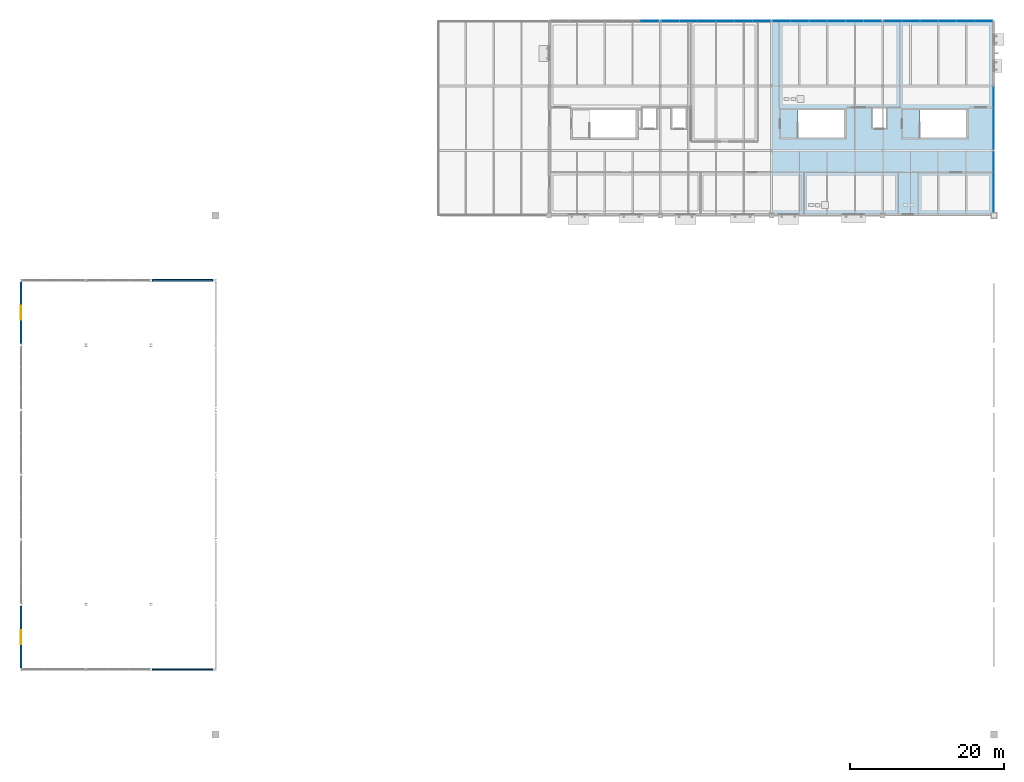
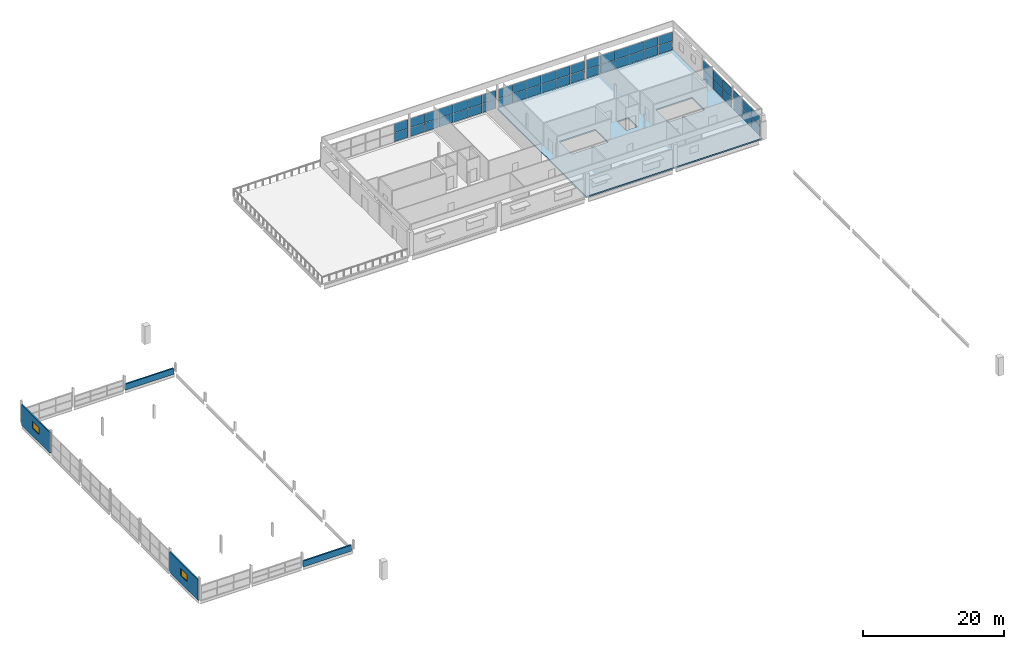
# One storey, part 38 of 43: 50 plates, 4 walls, 2 windows, 1 slab, 2 openings, 6 elements without a shape of their own.
"""IFC4 building model written with IfcOpenShell, lengths in metres."""

from ifc_helpers import new_model, si_unit, direction, frame, frame_2d, origin, origin_2d, place, context, subcontext, project, spatial, polyline, rectangle, outline, extrude, material, layer, layer_set, type_object, element, fill, aggregate, save


model = new_model("IFC4")

# Units and contexts
model_context = context("Model", 3, precision=1e-05, world=origin(), true_north=direction((0.0, 1.0)))
body_context = subcontext(model_context, "Body", "Model", "MODEL_VIEW")
ifc_project = project(units=[si_unit("LENGTHUNIT", "METRE"), si_unit("AREAUNIT", "SQUARE_METRE"), si_unit("VOLUMEUNIT", "CUBIC_METRE"), si_unit("PLANEANGLEUNIT", "RADIAN"), si_unit("MASSUNIT", "GRAM", prefix="KILO"), si_unit("THERMODYNAMICTEMPERATUREUNIT", "KELVIN")], contexts=[model_context])

# Site, building, storey
site_placement = place(None, origin())
site = spatial("IfcSite", under=ifc_project, at=site_placement, CompositionType="ELEMENT")
building_placement = place(site_placement, origin())
building = spatial("IfcBuilding", under=site, at=building_placement, Name="Nduvali Passage Aquatics Centre", CompositionType="ELEMENT")
storey_placement = place(building_placement, frame((0.0, 0.0, 17.39990234375)))
storey = spatial("IfcBuildingStorey", under=building, at=storey_placement, Name="L04", CompositionType="ELEMENT", Elevation=17.39990234375)

# Curtain wall, plates
ifc_material_1 = material(Name="Aluminium EN AW-6063 T6", Category="aluminium")
curtain_wall_type_1 = type_object("IfcCurtainWallType", Name="ENV-CW-WELL", PredefinedType="NOTDEFINED", material=ifc_material_1)
curtain_wall_1_placement = place(storey_placement, origin())
curtain_wall_1 = element("IfcCurtainWall", 1, at=curtain_wall_1_placement, inside=storey, type_object=curtain_wall_type_1, Name="L04 North Avenue Recovery Lounge CW 106", PredefinedType="NOTDEFINED")
ifc_material_2 = material(Name="Laminated solar-control low-E IGU")
ifc_layer_1 = layer(ifc_material_2, 0.028076171875, Name="Laminated solar-control low-E IGU")
ifc_layer_set_1 = layer_set([ifc_layer_1], Name="Laminated solar-control low-E IGU")
plate_type = type_object("IfcPlateType", Name="ENV-PLT-GLZ28", PredefinedType="CURTAIN_PANEL", material=ifc_layer_set_1)
plate_1_placement = place(storey_placement, frame((81.485107421875, 117.60009765625, 0.06005859375), z_axis=(0.0, 0.0, 1.0), x_axis=(1.0, 0.0, 0.0)))
plate_1 = element("IfcPlate", 2, at=plate_1_placement, type_object=plate_type, Name="North Avenue Recovery Lounge CW Glazed Panel B6-R1", PredefinedType="CURTAIN_PANEL", context=body_context, shape_type="SweptSolid", body=[
    extrude(rectangle(XDim=2.27001953125, YDim=0.028076171875, at=origin_2d()), origin(), (0.0, 0.0, 1.0), 1.516845703125),
])
plate_2_placement = place(storey_placement, frame((81.485107421875, 117.60009765625, 1.63720703125), z_axis=(0.0, 0.0, 1.0), x_axis=(1.0, 0.0, 0.0)))
plate_2 = element("IfcPlate", 3, at=plate_2_placement, type_object=plate_type, Name="North Avenue Recovery Lounge CW Glazed Panel B6-R2", PredefinedType="CURTAIN_PANEL", context=body_context, shape_type="SweptSolid", body=[
    extrude(rectangle(XDim=2.27001953125, YDim=0.028076171875, at=origin_2d()), origin(), (0.0, 0.0, 1.0), 1.516845703125),
])
aggregate(curtain_wall_1, [plate_1, plate_2])

curtain_wall_2_placement = place(storey_placement, origin())
curtain_wall_2 = element("IfcCurtainWall", 4, at=curtain_wall_2_placement, inside=storey, type_object=curtain_wall_type_1, Name="L04 North Avenue Recovery Lounge CW 111", PredefinedType="NOTDEFINED")
plate_3_placement = place(storey_placement, frame((84.114990234375, 117.60009765625, 0.06005859375), z_axis=(0.0, 0.0, 1.0), x_axis=(1.0, 0.0, 0.0)))
plate_3 = element("IfcPlate", 5, at=plate_3_placement, type_object=plate_type, Name="North Avenue Recovery Lounge CW Glazed Panel B1-R1", PredefinedType="CURTAIN_PANEL", context=body_context, shape_type="SweptSolid", body=[
    extrude(rectangle(XDim=2.27001953125, YDim=0.028076171875, at=origin_2d()), origin(), (0.0, 0.0, 1.0), 1.516845703125),
])
plate_4_placement = place(storey_placement, frame((84.114990234375, 117.60009765625, 1.63720703125), z_axis=(0.0, 0.0, 1.0), x_axis=(1.0, 0.0, 0.0)))
plate_4 = element("IfcPlate", 6, at=plate_4_placement, type_object=plate_type, Name="North Avenue Recovery Lounge CW Glazed Panel B1-R2", PredefinedType="CURTAIN_PANEL", context=body_context, shape_type="SweptSolid", body=[
    extrude(rectangle(XDim=2.27001953125, YDim=0.028076171875, at=origin_2d()), origin(), (0.0, 0.0, 1.0), 1.516845703125),
])
plate_5_placement = place(storey_placement, frame((86.4599609375, 117.60009765625, 0.06005859375), z_axis=(0.0, 0.0, 1.0), x_axis=(1.0, 0.0, 0.0)))
plate_5 = element("IfcPlate", 7, at=plate_5_placement, type_object=plate_type, Name="North Avenue Recovery Lounge CW Glazed Panel B2-R1", PredefinedType="CURTAIN_PANEL", context=body_context, shape_type="SweptSolid", body=[
    extrude(rectangle(XDim=2.300048828125, YDim=0.028076171875, at=origin_2d()), origin(), (0.0, 0.0, 1.0), 1.516845703125),
])
plate_6_placement = place(storey_placement, frame((86.4599609375, 117.60009765625, 1.63720703125), z_axis=(0.0, 0.0, 1.0), x_axis=(1.0, 0.0, 0.0)))
plate_6 = element("IfcPlate", 8, at=plate_6_placement, type_object=plate_type, Name="North Avenue Recovery Lounge CW Glazed Panel B2-R2", PredefinedType="CURTAIN_PANEL", context=body_context, shape_type="SweptSolid", body=[
    extrude(rectangle(XDim=2.300048828125, YDim=0.028076171875, at=origin_2d()), origin(), (0.0, 0.0, 1.0), 1.516845703125),
])
plate_7_placement = place(storey_placement, frame((88.820068359375, 117.60009765625, 0.06005859375), z_axis=(0.0, 0.0, 1.0), x_axis=(1.0, 0.0, 0.0)))
plate_7 = element("IfcPlate", 9, at=plate_7_placement, type_object=plate_type, Name="North Avenue Recovery Lounge CW Glazed Panel B3-R1", PredefinedType="CURTAIN_PANEL", context=body_context, shape_type="SweptSolid", body=[
    extrude(rectangle(XDim=2.300048828125, YDim=0.028076171875, at=origin_2d()), origin(), (0.0, 0.0, 1.0), 1.516845703125),
])
plate_8_placement = place(storey_placement, frame((88.820068359375, 117.60009765625, 1.63720703125), z_axis=(0.0, 0.0, 1.0), x_axis=(1.0, 0.0, 0.0)))
plate_8 = element("IfcPlate", 10, at=plate_8_placement, type_object=plate_type, Name="North Avenue Recovery Lounge CW Glazed Panel B3-R2", PredefinedType="CURTAIN_PANEL", context=body_context, shape_type="SweptSolid", body=[
    extrude(rectangle(XDim=2.300048828125, YDim=0.028076171875, at=origin_2d()), origin(), (0.0, 0.0, 1.0), 1.516845703125),
])
plate_9_placement = place(storey_placement, frame((91.179931640625, 117.60009765625, 0.06005859375), z_axis=(0.0, 0.0, 1.0), x_axis=(1.0, 0.0, 0.0)))
plate_9 = element("IfcPlate", 11, at=plate_9_placement, type_object=plate_type, Name="North Avenue Recovery Lounge CW Glazed Panel B4-R1", PredefinedType="CURTAIN_PANEL", context=body_context, shape_type="SweptSolid", body=[
    extrude(rectangle(XDim=2.300048828125, YDim=0.028076171875, at=origin_2d()), origin(), (0.0, 0.0, 1.0), 1.516845703125),
])
plate_10_placement = place(storey_placement, frame((91.179931640625, 117.60009765625, 1.63720703125), z_axis=(0.0, 0.0, 1.0), x_axis=(1.0, 0.0, 0.0)))
plate_10 = element("IfcPlate", 12, at=plate_10_placement, type_object=plate_type, Name="North Avenue Recovery Lounge CW Glazed Panel B4-R2", PredefinedType="CURTAIN_PANEL", context=body_context, shape_type="SweptSolid", body=[
    extrude(rectangle(XDim=2.300048828125, YDim=0.028076171875, at=origin_2d()), origin(), (0.0, 0.0, 1.0), 1.516845703125),
])
plate_11_placement = place(storey_placement, frame((93.5400390625, 117.60009765625, 0.06005859375), z_axis=(0.0, 0.0, 1.0), x_axis=(1.0, 0.0, 0.0)))
plate_11 = element("IfcPlate", 13, at=plate_11_placement, type_object=plate_type, Name="North Avenue Recovery Lounge CW Glazed Panel B5-R1", PredefinedType="CURTAIN_PANEL", context=body_context, shape_type="SweptSolid", body=[
    extrude(rectangle(XDim=2.300048828125, YDim=0.028076171875, at=origin_2d()), origin(), (0.0, 0.0, 1.0), 1.516845703125),
])
plate_12_placement = place(storey_placement, frame((93.5400390625, 117.60009765625, 1.63720703125), z_axis=(0.0, 0.0, 1.0), x_axis=(1.0, 0.0, 0.0)))
plate_12 = element("IfcPlate", 14, at=plate_12_placement, type_object=plate_type, Name="North Avenue Recovery Lounge CW Glazed Panel B5-R2", PredefinedType="CURTAIN_PANEL", context=body_context, shape_type="SweptSolid", body=[
    extrude(rectangle(XDim=2.300048828125, YDim=0.028076171875, at=origin_2d()), origin(), (0.0, 0.0, 1.0), 1.516845703125),
])
plate_13_placement = place(storey_placement, frame((95.885009765625, 117.60009765625, 0.06005859375), z_axis=(0.0, 0.0, 1.0), x_axis=(1.0, 0.0, 0.0)))
plate_13 = element("IfcPlate", 15, at=plate_13_placement, type_object=plate_type, Name="North Avenue Recovery Lounge CW Glazed Panel B6-R1", PredefinedType="CURTAIN_PANEL", context=body_context, shape_type="SweptSolid", body=[
    extrude(rectangle(XDim=2.27001953125, YDim=0.028076171875, at=origin_2d()), origin(), (0.0, 0.0, 1.0), 1.516845703125),
])
plate_14_placement = place(storey_placement, frame((95.885009765625, 117.60009765625, 1.63720703125), z_axis=(0.0, 0.0, 1.0), x_axis=(1.0, 0.0, 0.0)))
plate_14 = element("IfcPlate", 16, at=plate_14_placement, type_object=plate_type, Name="North Avenue Recovery Lounge CW Glazed Panel B6-R2", PredefinedType="CURTAIN_PANEL", context=body_context, shape_type="SweptSolid", body=[
    extrude(rectangle(XDim=2.27001953125, YDim=0.028076171875, at=origin_2d()), origin(), (0.0, 0.0, 1.0), 1.516845703125),
])
aggregate(curtain_wall_2, [plate_3, plate_4, plate_5, plate_6, plate_7, plate_8, plate_9, plate_10, plate_11, plate_12, plate_13, plate_14])

curtain_wall_3_placement = place(storey_placement, origin())
curtain_wall_3 = element("IfcCurtainWall", 17, at=curtain_wall_3_placement, inside=storey, type_object=curtain_wall_type_1, Name="L04 North Avenue Recovery Lounge CW 115", PredefinedType="NOTDEFINED")
plate_15_placement = place(storey_placement, frame((98.514892578125, 117.60009765625, 0.06005859375), z_axis=(0.0, 0.0, 1.0), x_axis=(1.0, 0.0, 0.0)))
plate_15 = element("IfcPlate", 18, at=plate_15_placement, type_object=plate_type, Name="North Avenue Recovery Lounge CW Glazed Panel B1-R1", PredefinedType="CURTAIN_PANEL", context=body_context, shape_type="SweptSolid", body=[
    extrude(rectangle(XDim=2.27001953125, YDim=0.028076171875, at=origin_2d()), origin(), (0.0, 0.0, 1.0), 1.516845703125),
])
plate_16_placement = place(storey_placement, frame((98.514892578125, 117.60009765625, 1.63720703125), z_axis=(0.0, 0.0, 1.0), x_axis=(1.0, 0.0, 0.0)))
plate_16 = element("IfcPlate", 19, at=plate_16_placement, type_object=plate_type, Name="North Avenue Recovery Lounge CW Glazed Panel B1-R2", PredefinedType="CURTAIN_PANEL", context=body_context, shape_type="SweptSolid", body=[
    extrude(rectangle(XDim=2.27001953125, YDim=0.028076171875, at=origin_2d()), origin(), (0.0, 0.0, 1.0), 1.516845703125),
])
plate_17_placement = place(storey_placement, frame((100.860107421875, 117.60009765625, 0.06005859375), z_axis=(0.0, 0.0, 1.0), x_axis=(1.0, 0.0, 0.0)))
plate_17 = element("IfcPlate", 20, at=plate_17_placement, type_object=plate_type, Name="North Avenue Recovery Lounge CW Glazed Panel B2-R1", PredefinedType="CURTAIN_PANEL", context=body_context, shape_type="SweptSolid", body=[
    extrude(rectangle(XDim=2.300048828125, YDim=0.028076171875, at=origin_2d()), origin(), (0.0, 0.0, 1.0), 1.516845703125),
])
plate_18_placement = place(storey_placement, frame((100.860107421875, 117.60009765625, 1.63720703125), z_axis=(0.0, 0.0, 1.0), x_axis=(1.0, 0.0, 0.0)))
plate_18 = element("IfcPlate", 21, at=plate_18_placement, type_object=plate_type, Name="North Avenue Recovery Lounge CW Glazed Panel B2-R2", PredefinedType="CURTAIN_PANEL", context=body_context, shape_type="SweptSolid", body=[
    extrude(rectangle(XDim=2.300048828125, YDim=0.028076171875, at=origin_2d()), origin(), (0.0, 0.0, 1.0), 1.516845703125),
])
plate_19_placement = place(storey_placement, frame((103.219970703125, 117.60009765625, 0.06005859375), z_axis=(0.0, 0.0, 1.0), x_axis=(1.0, 0.0, 0.0)))
plate_19 = element("IfcPlate", 22, at=plate_19_placement, type_object=plate_type, Name="North Avenue Recovery Lounge CW Glazed Panel B3-R1", PredefinedType="CURTAIN_PANEL", context=body_context, shape_type="SweptSolid", body=[
    extrude(rectangle(XDim=2.300048828125, YDim=0.028076171875, at=origin_2d()), origin(), (0.0, 0.0, 1.0), 1.516845703125),
])
plate_20_placement = place(storey_placement, frame((103.219970703125, 117.60009765625, 1.63720703125), z_axis=(0.0, 0.0, 1.0), x_axis=(1.0, 0.0, 0.0)))
plate_20 = element("IfcPlate", 23, at=plate_20_placement, type_object=plate_type, Name="North Avenue Recovery Lounge CW Glazed Panel B3-R2", PredefinedType="CURTAIN_PANEL", context=body_context, shape_type="SweptSolid", body=[
    extrude(rectangle(XDim=2.300048828125, YDim=0.028076171875, at=origin_2d()), origin(), (0.0, 0.0, 1.0), 1.516845703125),
])
plate_21_placement = place(storey_placement, frame((105.580078125, 117.60009765625, 0.06005859375), z_axis=(0.0, 0.0, 1.0), x_axis=(1.0, 0.0, 0.0)))
plate_21 = element("IfcPlate", 24, at=plate_21_placement, type_object=plate_type, Name="North Avenue Recovery Lounge CW Glazed Panel B4-R1", PredefinedType="CURTAIN_PANEL", context=body_context, shape_type="SweptSolid", body=[
    extrude(rectangle(XDim=2.300048828125, YDim=0.028076171875, at=origin_2d()), origin(), (0.0, 0.0, 1.0), 1.516845703125),
])
plate_22_placement = place(storey_placement, frame((105.580078125, 117.60009765625, 1.63720703125), z_axis=(0.0, 0.0, 1.0), x_axis=(1.0, 0.0, 0.0)))
plate_22 = element("IfcPlate", 25, at=plate_22_placement, type_object=plate_type, Name="North Avenue Recovery Lounge CW Glazed Panel B4-R2", PredefinedType="CURTAIN_PANEL", context=body_context, shape_type="SweptSolid", body=[
    extrude(rectangle(XDim=2.300048828125, YDim=0.028076171875, at=origin_2d()), origin(), (0.0, 0.0, 1.0), 1.516845703125),
])
plate_23_placement = place(storey_placement, frame((107.93994140625, 117.60009765625, 0.06005859375), z_axis=(0.0, 0.0, 1.0), x_axis=(1.0, 0.0, 0.0)))
plate_23 = element("IfcPlate", 26, at=plate_23_placement, type_object=plate_type, Name="North Avenue Recovery Lounge CW Glazed Panel B5-R1", PredefinedType="CURTAIN_PANEL", context=body_context, shape_type="SweptSolid", body=[
    extrude(rectangle(XDim=2.300048828125, YDim=0.028076171875, at=origin_2d()), origin(), (0.0, 0.0, 1.0), 1.516845703125),
])
plate_24_placement = place(storey_placement, frame((107.93994140625, 117.60009765625, 1.63720703125), z_axis=(0.0, 0.0, 1.0), x_axis=(1.0, 0.0, 0.0)))
plate_24 = element("IfcPlate", 27, at=plate_24_placement, type_object=plate_type, Name="North Avenue Recovery Lounge CW Glazed Panel B5-R2", PredefinedType="CURTAIN_PANEL", context=body_context, shape_type="SweptSolid", body=[
    extrude(rectangle(XDim=2.300048828125, YDim=0.028076171875, at=origin_2d()), origin(), (0.0, 0.0, 1.0), 1.516845703125),
])
plate_25_placement = place(storey_placement, frame((110.284912109375, 117.60009765625, 0.06005859375), z_axis=(0.0, 0.0, 1.0), x_axis=(1.0, 0.0, 0.0)))
plate_25 = element("IfcPlate", 28, at=plate_25_placement, type_object=plate_type, Name="North Avenue Recovery Lounge CW Glazed Panel B6-R1", PredefinedType="CURTAIN_PANEL", context=body_context, shape_type="SweptSolid", body=[
    extrude(rectangle(XDim=2.27001953125, YDim=0.028076171875, at=origin_2d()), origin(), (0.0, 0.0, 1.0), 1.516845703125),
])
plate_26_placement = place(storey_placement, frame((110.284912109375, 117.60009765625, 1.63720703125), z_axis=(0.0, 0.0, 1.0), x_axis=(1.0, 0.0, 0.0)))
plate_26 = element("IfcPlate", 29, at=plate_26_placement, type_object=plate_type, Name="North Avenue Recovery Lounge CW Glazed Panel B6-R2", PredefinedType="CURTAIN_PANEL", context=body_context, shape_type="SweptSolid", body=[
    extrude(rectangle(XDim=2.27001953125, YDim=0.028076171875, at=origin_2d()), origin(), (0.0, 0.0, 1.0), 1.516845703125),
])
aggregate(curtain_wall_3, [plate_15, plate_16, plate_17, plate_18, plate_19, plate_20, plate_21, plate_22, plate_23, plate_24, plate_25, plate_26])

curtain_wall_4_placement = place(storey_placement, origin())
curtain_wall_4 = element("IfcCurtainWall", 30, at=curtain_wall_4_placement, inside=storey, type_object=curtain_wall_type_1, Name="L04 North Avenue Recovery Lounge CW 116", PredefinedType="NOTDEFINED")
plate_27_placement = place(storey_placement, frame((112.9150390625, 117.60009765625, 0.06005859375), z_axis=(0.0, 0.0, 1.0), x_axis=(1.0, 0.0, 0.0)))
plate_27 = element("IfcPlate", 31, at=plate_27_placement, type_object=plate_type, Name="North Avenue Recovery Lounge CW Glazed Panel B1-R1", PredefinedType="CURTAIN_PANEL", context=body_context, shape_type="SweptSolid", body=[
    extrude(rectangle(XDim=2.27001953125, YDim=0.028076171875, at=origin_2d()), origin(), (0.0, 0.0, 1.0), 1.516845703125),
])
plate_28_placement = place(storey_placement, frame((112.9150390625, 117.60009765625, 1.63720703125), z_axis=(0.0, 0.0, 1.0), x_axis=(1.0, 0.0, 0.0)))
plate_28 = element("IfcPlate", 32, at=plate_28_placement, type_object=plate_type, Name="North Avenue Recovery Lounge CW Glazed Panel B1-R2", PredefinedType="CURTAIN_PANEL", context=body_context, shape_type="SweptSolid", body=[
    extrude(rectangle(XDim=2.27001953125, YDim=0.028076171875, at=origin_2d()), origin(), (0.0, 0.0, 1.0), 1.516845703125),
])
plate_29_placement = place(storey_placement, frame((115.260009765625, 117.60009765625, 0.06005859375), z_axis=(0.0, 0.0, 1.0), x_axis=(1.0, 0.0, 0.0)))
plate_29 = element("IfcPlate", 33, at=plate_29_placement, type_object=plate_type, Name="North Avenue Recovery Lounge CW Glazed Panel B2-R1", PredefinedType="CURTAIN_PANEL", context=body_context, shape_type="SweptSolid", body=[
    extrude(rectangle(XDim=2.300048828125, YDim=0.028076171875, at=origin_2d()), origin(), (0.0, 0.0, 1.0), 1.516845703125),
])
plate_30_placement = place(storey_placement, frame((115.260009765625, 117.60009765625, 1.63720703125), z_axis=(0.0, 0.0, 1.0), x_axis=(1.0, 0.0, 0.0)))
plate_30 = element("IfcPlate", 34, at=plate_30_placement, type_object=plate_type, Name="North Avenue Recovery Lounge CW Glazed Panel B2-R2", PredefinedType="CURTAIN_PANEL", context=body_context, shape_type="SweptSolid", body=[
    extrude(rectangle(XDim=2.300048828125, YDim=0.028076171875, at=origin_2d()), origin(), (0.0, 0.0, 1.0), 1.516845703125),
])
plate_31_placement = place(storey_placement, frame((117.6201171875, 117.60009765625, 0.06005859375), z_axis=(0.0, 0.0, 1.0), x_axis=(1.0, 0.0, 0.0)))
plate_31 = element("IfcPlate", 35, at=plate_31_placement, type_object=plate_type, Name="North Avenue Recovery Lounge CW Glazed Panel B3-R1", PredefinedType="CURTAIN_PANEL", context=body_context, shape_type="SweptSolid", body=[
    extrude(rectangle(XDim=2.300048828125, YDim=0.028076171875, at=origin_2d()), origin(), (0.0, 0.0, 1.0), 1.516845703125),
])
plate_32_placement = place(storey_placement, frame((117.6201171875, 117.60009765625, 1.63720703125), z_axis=(0.0, 0.0, 1.0), x_axis=(1.0, 0.0, 0.0)))
plate_32 = element("IfcPlate", 36, at=plate_32_placement, type_object=plate_type, Name="North Avenue Recovery Lounge CW Glazed Panel B3-R2", PredefinedType="CURTAIN_PANEL", context=body_context, shape_type="SweptSolid", body=[
    extrude(rectangle(XDim=2.300048828125, YDim=0.028076171875, at=origin_2d()), origin(), (0.0, 0.0, 1.0), 1.516845703125),
])
plate_33_placement = place(storey_placement, frame((119.97998046875, 117.60009765625, 0.06005859375), z_axis=(0.0, 0.0, 1.0), x_axis=(1.0, 0.0, 0.0)))
plate_33 = element("IfcPlate", 37, at=plate_33_placement, type_object=plate_type, Name="North Avenue Recovery Lounge CW Glazed Panel B4-R1", PredefinedType="CURTAIN_PANEL", context=body_context, shape_type="SweptSolid", body=[
    extrude(rectangle(XDim=2.300048828125, YDim=0.028076171875, at=origin_2d()), origin(), (0.0, 0.0, 1.0), 1.516845703125),
])
plate_34_placement = place(storey_placement, frame((119.97998046875, 117.60009765625, 1.63720703125), z_axis=(0.0, 0.0, 1.0), x_axis=(1.0, 0.0, 0.0)))
plate_34 = element("IfcPlate", 38, at=plate_34_placement, type_object=plate_type, Name="North Avenue Recovery Lounge CW Glazed Panel B4-R2", PredefinedType="CURTAIN_PANEL", context=body_context, shape_type="SweptSolid", body=[
    extrude(rectangle(XDim=2.300048828125, YDim=0.028076171875, at=origin_2d()), origin(), (0.0, 0.0, 1.0), 1.516845703125),
])
plate_35_placement = place(storey_placement, frame((122.340087890625, 117.60009765625, 0.06005859375), z_axis=(0.0, 0.0, 1.0), x_axis=(1.0, 0.0, 0.0)))
plate_35 = element("IfcPlate", 39, at=plate_35_placement, type_object=plate_type, Name="North Avenue Recovery Lounge CW Glazed Panel B5-R1", PredefinedType="CURTAIN_PANEL", context=body_context, shape_type="SweptSolid", body=[
    extrude(rectangle(XDim=2.300048828125, YDim=0.028076171875, at=origin_2d()), origin(), (0.0, 0.0, 1.0), 1.516845703125),
])
plate_36_placement = place(storey_placement, frame((122.340087890625, 117.60009765625, 1.63720703125), z_axis=(0.0, 0.0, 1.0), x_axis=(1.0, 0.0, 0.0)))
plate_36 = element("IfcPlate", 40, at=plate_36_placement, type_object=plate_type, Name="North Avenue Recovery Lounge CW Glazed Panel B5-R2", PredefinedType="CURTAIN_PANEL", context=body_context, shape_type="SweptSolid", body=[
    extrude(rectangle(XDim=2.300048828125, YDim=0.028076171875, at=origin_2d()), origin(), (0.0, 0.0, 1.0), 1.516845703125),
])
plate_37_placement = place(storey_placement, frame((124.68505859375, 117.60009765625, 0.06005859375), z_axis=(0.0, 0.0, 1.0), x_axis=(1.0, 0.0, 0.0)))
plate_37 = element("IfcPlate", 41, at=plate_37_placement, type_object=plate_type, Name="North Avenue Recovery Lounge CW Glazed Panel B6-R1", PredefinedType="CURTAIN_PANEL", context=body_context, shape_type="SweptSolid", body=[
    extrude(rectangle(XDim=2.27001953125, YDim=0.028076171875, at=origin_2d()), origin(), (0.0, 0.0, 1.0), 1.516845703125),
])
plate_38_placement = place(storey_placement, frame((124.68505859375, 117.60009765625, 1.63720703125), z_axis=(0.0, 0.0, 1.0), x_axis=(1.0, 0.0, 0.0)))
plate_38 = element("IfcPlate", 42, at=plate_38_placement, type_object=plate_type, Name="North Avenue Recovery Lounge CW Glazed Panel B6-R2", PredefinedType="CURTAIN_PANEL", context=body_context, shape_type="SweptSolid", body=[
    extrude(rectangle(XDim=2.27001953125, YDim=0.028076171875, at=origin_2d()), origin(), (0.0, 0.0, 1.0), 1.516845703125),
])
aggregate(curtain_wall_4, [plate_27, plate_28, plate_29, plate_30, plate_31, plate_32, plate_33, plate_34, plate_35, plate_36, plate_37, plate_38])

curtain_wall_type_2 = type_object("IfcCurtainWallType", Name="ENV-CW-PASS", PredefinedType="NOTDEFINED", material=ifc_material_1)
curtain_wall_5_placement = place(storey_placement, origin())
curtain_wall_5 = element("IfcCurtainWall", 43, at=curtain_wall_5_placement, inside=storey, type_object=curtain_wall_type_2, Name="L04 East Passage Wellness CW 120", PredefinedType="NOTDEFINED")
plate_39_placement = place(storey_placement, frame((126.0, 94.168212890625, 0.06005859375), z_axis=(0.0, 0.0, 1.0), x_axis=(0.0, 1.0, 0.0)))
plate_39 = element("IfcPlate", 44, at=plate_39_placement, type_object=plate_type, Name="East Passage Wellness CW Glazed Panel B1-R1", PredefinedType="CURTAIN_PANEL", context=body_context, shape_type="SweptSolid", body=[
    extrude(rectangle(XDim=2.5166015625, YDim=0.028076171875, at=origin_2d()), origin(), (0.0, 0.0, 1.0), 1.628173828125),
])
plate_40_placement = place(storey_placement, frame((126.0, 94.168212890625, 1.74853515625), z_axis=(0.0, 0.0, 1.0), x_axis=(0.0, 1.0, 0.0)))
plate_40 = element("IfcPlate", 45, at=plate_40_placement, type_object=plate_type, Name="East Passage Wellness CW Glazed Panel B1-R2", PredefinedType="CURTAIN_PANEL", context=body_context, shape_type="SweptSolid", body=[
    extrude(rectangle(XDim=2.5166015625, YDim=0.028076171875, at=origin_2d()), origin(), (0.0, 0.0, 1.0), 1.628173828125),
])
plate_41_placement = place(storey_placement, frame((126.0, 96.760009765625, 0.06005859375), z_axis=(0.0, 0.0, 1.0), x_axis=(0.0, 1.0, 0.0)))
plate_41 = element("IfcPlate", 46, at=plate_41_placement, type_object=plate_type, Name="East Passage Wellness CW Glazed Panel B2-R1", PredefinedType="CURTAIN_PANEL", context=body_context, shape_type="SweptSolid", body=[
    extrude(rectangle(XDim=2.546630859375, YDim=0.028076171875, at=origin_2d()), origin(), (0.0, 0.0, 1.0), 1.628173828125),
])
plate_42_placement = place(storey_placement, frame((126.0, 96.760009765625, 1.74853515625), z_axis=(0.0, 0.0, 1.0), x_axis=(0.0, 1.0, 0.0)))
plate_42 = element("IfcPlate", 47, at=plate_42_placement, type_object=plate_type, Name="East Passage Wellness CW Glazed Panel B2-R2", PredefinedType="CURTAIN_PANEL", context=body_context, shape_type="SweptSolid", body=[
    extrude(rectangle(XDim=2.546630859375, YDim=0.028076171875, at=origin_2d()), origin(), (0.0, 0.0, 1.0), 1.628173828125),
])
plate_43_placement = place(storey_placement, frame((126.0, 99.351806640625, 0.06005859375), z_axis=(0.0, 0.0, 1.0), x_axis=(0.0, 1.0, 0.0)))
plate_43 = element("IfcPlate", 48, at=plate_43_placement, type_object=plate_type, Name="East Passage Wellness CW Glazed Panel B3-R1", PredefinedType="CURTAIN_PANEL", context=body_context, shape_type="SweptSolid", body=[
    extrude(rectangle(XDim=2.5166015625, YDim=0.028076171875, at=origin_2d()), origin(), (0.0, 0.0, 1.0), 1.628173828125),
])
plate_44_placement = place(storey_placement, frame((126.0, 99.351806640625, 1.74853515625), z_axis=(0.0, 0.0, 1.0), x_axis=(0.0, 1.0, 0.0)))
plate_44 = element("IfcPlate", 49, at=plate_44_placement, type_object=plate_type, Name="East Passage Wellness CW Glazed Panel B3-R2", PredefinedType="CURTAIN_PANEL", context=body_context, shape_type="SweptSolid", body=[
    extrude(rectangle(XDim=2.5166015625, YDim=0.028076171875, at=origin_2d()), origin(), (0.0, 0.0, 1.0), 1.628173828125),
])
aggregate(curtain_wall_5, [plate_39, plate_40, plate_41, plate_42, plate_43, plate_44])

curtain_wall_6_placement = place(storey_placement, origin())
curtain_wall_6 = element("IfcCurtainWall", 50, at=curtain_wall_6_placement, inside=storey, type_object=curtain_wall_type_2, Name="L04 East Passage Wellness CW 124", PredefinedType="NOTDEFINED")
plate_45_placement = place(storey_placement, frame((126.0, 102.3017578125, 0.06005859375), z_axis=(0.0, 0.0, 1.0), x_axis=(0.0, 1.0, 0.0)))
plate_45 = element("IfcPlate", 51, at=plate_45_placement, type_object=plate_type, Name="East Passage Wellness CW Glazed Panel B1-R1", PredefinedType="CURTAIN_PANEL", context=body_context, shape_type="SweptSolid", body=[
    extrude(rectangle(XDim=2.623291015625, YDim=0.028076171875, at=origin_2d()), origin(), (0.0, 0.0, 1.0), 1.628173828125),
])
plate_46_placement = place(storey_placement, frame((126.0, 102.3017578125, 1.74853515625), z_axis=(0.0, 0.0, 1.0), x_axis=(0.0, 1.0, 0.0)))
plate_46 = element("IfcPlate", 52, at=plate_46_placement, type_object=plate_type, Name="East Passage Wellness CW Glazed Panel B1-R2", PredefinedType="CURTAIN_PANEL", context=body_context, shape_type="SweptSolid", body=[
    extrude(rectangle(XDim=2.623291015625, YDim=0.028076171875, at=origin_2d()), origin(), (0.0, 0.0, 1.0), 1.628173828125),
])
plate_47_placement = place(storey_placement, frame((126.0, 105.0, 0.06005859375), z_axis=(0.0, 0.0, 1.0), x_axis=(0.0, 1.0, 0.0)))
plate_47 = element("IfcPlate", 53, at=plate_47_placement, type_object=plate_type, Name="East Passage Wellness CW Glazed Panel B2-R1", PredefinedType="CURTAIN_PANEL", context=body_context, shape_type="SweptSolid", body=[
    extrude(rectangle(XDim=2.6533203125, YDim=0.028076171875, at=origin_2d()), origin(), (0.0, 0.0, 1.0), 1.628173828125),
])
plate_48_placement = place(storey_placement, frame((126.0, 105.0, 1.74853515625), z_axis=(0.0, 0.0, 1.0), x_axis=(0.0, 1.0, 0.0)))
plate_48 = element("IfcPlate", 54, at=plate_48_placement, type_object=plate_type, Name="East Passage Wellness CW Glazed Panel B2-R2", PredefinedType="CURTAIN_PANEL", context=body_context, shape_type="SweptSolid", body=[
    extrude(rectangle(XDim=2.6533203125, YDim=0.028076171875, at=origin_2d()), origin(), (0.0, 0.0, 1.0), 1.628173828125),
])
plate_49_placement = place(storey_placement, frame((126.0, 107.6982421875, 0.06005859375), z_axis=(0.0, 0.0, 1.0), x_axis=(0.0, 1.0, 0.0)))
plate_49 = element("IfcPlate", 55, at=plate_49_placement, type_object=plate_type, Name="East Passage Wellness CW Glazed Panel B3-R1", PredefinedType="CURTAIN_PANEL", context=body_context, shape_type="SweptSolid", body=[
    extrude(rectangle(XDim=2.623291015625, YDim=0.028076171875, at=origin_2d()), origin(), (0.0, 0.0, 1.0), 1.628173828125),
])
plate_50_placement = place(storey_placement, frame((126.0, 107.6982421875, 1.74853515625), z_axis=(0.0, 0.0, 1.0), x_axis=(0.0, 1.0, 0.0)))
plate_50 = element("IfcPlate", 56, at=plate_50_placement, type_object=plate_type, Name="East Passage Wellness CW Glazed Panel B3-R2", PredefinedType="CURTAIN_PANEL", context=body_context, shape_type="SweptSolid", body=[
    extrude(rectangle(XDim=2.623291015625, YDim=0.028076171875, at=origin_2d()), origin(), (0.0, 0.0, 1.0), 1.628173828125),
])
aggregate(curtain_wall_6, [plate_45, plate_46, plate_47, plate_48, plate_49, plate_50])

# Slab
ifc_material_3 = material(Name="Concrete C40/50", Category="concrete")
ifc_layer_2 = layer(ifc_material_3, 0.22998046875, Name="Concrete C40/50")
ifc_layer_set_2 = layer_set([ifc_layer_2], Name="Concrete C40/50")
slab_type = type_object("IfcSlabType", Name="STR-SLB-FLR230", PredefinedType="FLOOR", material=ifc_layer_set_2)
slab_placement = place(storey_placement, frame((0.0, 0.0, -0.22998046875)))
element("IfcSlab", 57, at=slab_placement, inside=storey, type_object=slab_type, Name="L04 Athlete Recovery Wellness and Mechanical Floor Slab 2", PredefinedType="FLOOR", context=body_context, shape_type="SweptSolid", body=[
    extrude(outline(polyline([(97.199951171875, 92.39990234375), (126.0, 92.39990234375), (126.0, 117.60009765625), (97.199951171875, 117.60009765625), (97.199951171875, 92.39990234375)]), holes=[polyline([(116.449951171875, 102.5), (122.39990234375, 102.5), (122.39990234375, 106.090087890625), (116.449951171875, 106.090087890625), (116.449951171875, 102.5)]), polyline([(100.64990234375, 102.5), (106.60009765625, 102.5), (106.60009765625, 106.090087890625), (100.64990234375, 106.090087890625), (100.64990234375, 102.5)]), polyline([(110.320068359375, 103.719970703125), (112.080078125, 103.719970703125), (112.080078125, 106.280029296875), (110.320068359375, 106.280029296875), (110.320068359375, 103.719970703125)])]), origin(), (0.0, 0.0, 1.0), 0.22998046875),
])

# Wall, opening, window
ifc_material_4 = material(Name="Precast concrete C40/50", Category="concrete")
ifc_layer_3 = layer(ifc_material_4, 0.239990234375, Name="Precast concrete C40/50")
ifc_layer_set_3 = layer_set([ifc_layer_3], Name="Precast concrete C40/50")
wall_type = type_object("IfcWallType", Name="ENV-WAL-SPAND240", PredefinedType="STANDARD", material=ifc_layer_set_3)
wall_1_placement = place(storey_placement, frame((0.0, 41.830078125, -0.22998046875), z_axis=(0.0, 0.0, 1.0), x_axis=(0.0, -1.0, 0.0)))
wall_1 = element("IfcWall", 58, at=wall_1_placement, inside=storey, type_object=wall_type, Name="L04 Diving West Upper Spandrel Wall 0041", PredefinedType="STANDARD", context=body_context, shape_type="SweptSolid", body=[
    extrude(rectangle(XDim=8.06005859375, YDim=0.239990234375, at=frame_2d((4.030029296875, 0.0))), origin(), (0.0, 0.0, 1.0), 3.5400390625),
])
opening_1_placement = place(wall_1_placement, frame((3.1298828125, 0.0, 1.35009765625)))
opening_1 = element("IfcOpeningElement", 59, at=opening_1_placement, cuts=wall_1, Name="Opening W8", PredefinedType="OPENING", context=body_context, shape_type="SweptSolid", body=[
    extrude(rectangle(XDim=1.800048828125, YDim=1.199951171875, at=frame_2d((0.89990234375, 0.60009765625))), frame((0.0, 0.134765625, 0.0), z_axis=(0.0, -1.0, 0.0), x_axis=(1.0, 0.0, 0.0)), (0.0, 0.0, 1.0), 0.269775390625),
])
ifc_material_5 = material(Name="Aluminium-framed solar-control low-E IGU", Category="aluminium")
window_type = type_object("IfcWindowType", Name="ENV-WIN-W8", PartitioningType="SINGLE_PANEL", PredefinedType="WINDOW", material=ifc_material_5)
window_1_placement = place(opening_1_placement, origin())
window_1 = element("IfcWindow", 60, at=window_1_placement, inside=storey, type_object=window_type, Name="L04 Exterior Window W8-0048", OverallHeight=1.199951171875, OverallWidth=1.800048828125, PartitioningType="SINGLE_PANEL", PredefinedType="WINDOW", context=body_context, shape_type="SweptSolid", body=[
    extrude(rectangle(XDim=1.800048828125, YDim=1.199951171875, at=frame_2d((0.89990234375, 0.60009765625))), frame((0.0, 0.030029296875, 0.0), z_axis=(0.0, -1.0, 0.0), x_axis=(1.0, 0.0, 0.0)), (0.0, 0.0, 1.0), 0.06005859375),
])
fill(opening_1, window_1)

wall_2_placement = place(storey_placement, frame((0.0, 83.830078125, -0.22998046875), z_axis=(0.0, 0.0, 1.0), x_axis=(0.0, -1.0, 0.0)))
wall_2 = element("IfcWall", 61, at=wall_2_placement, inside=storey, type_object=wall_type, Name="L04 Diving West Upper Spandrel Wall 0042", PredefinedType="STANDARD", context=body_context, shape_type="SweptSolid", body=[
    extrude(rectangle(XDim=8.06005859375, YDim=0.239990234375, at=frame_2d((4.030029296875, 0.0))), origin(), (0.0, 0.0, 1.0), 3.5400390625),
])
opening_2_placement = place(wall_2_placement, frame((3.1298828125, 0.0, 1.35009765625)))
opening_2 = element("IfcOpeningElement", 62, at=opening_2_placement, cuts=wall_2, Name="Opening W8", PredefinedType="OPENING", context=body_context, shape_type="SweptSolid", body=[
    extrude(rectangle(XDim=1.800048828125, YDim=1.199951171875, at=frame_2d((0.89990234375, 0.60009765625))), frame((0.0, 0.134765625, 0.0), z_axis=(0.0, -1.0, 0.0), x_axis=(1.0, 0.0, 0.0)), (0.0, 0.0, 1.0), 0.269775390625),
])
window_2_placement = place(opening_2_placement, origin())
window_2 = element("IfcWindow", 63, at=window_2_placement, inside=storey, type_object=window_type, Name="L04 Exterior Window W8-0049", OverallHeight=1.199951171875, OverallWidth=1.800048828125, PartitioningType="SINGLE_PANEL", PredefinedType="WINDOW", context=body_context, shape_type="SweptSolid", body=[
    extrude(rectangle(XDim=1.800048828125, YDim=1.199951171875, at=frame_2d((0.89990234375, 0.60009765625))), frame((0.0, 0.030029296875, 0.0), z_axis=(0.0, -1.0, 0.0), x_axis=(1.0, 0.0, 0.0)), (0.0, 0.0, 1.0), 0.06005859375),
])
fill(opening_2, window_2)

# Walls
for number, where, z_axis, x_axis, name in (
    (64, (16.949951171875, 33.60009765625, -0.22998046875), (0.0, 0.0, 1.0), (1.0, 0.0, 0.0), "L04 Diving South Upper Eave Spandrel 0043"),
    (65, (24.824951171875, 84.0, -0.22998046875), (0.0, 0.0, 1.0), (-1.0, 0.0, 0.0), "L04 Diving North Upper Eave Spandrel 0044"),
):
    element("IfcWall", number, at=place(storey_placement, frame(where, z_axis=z_axis, x_axis=x_axis)), inside=storey, type_object=wall_type, Name=name, PredefinedType="STANDARD", context=body_context, shape_type="SweptSolid", body=[
        extrude(rectangle(XDim=7.875, YDim=0.239990234375, at=frame_2d((3.9375, 0.0))), origin(), (0.0, 0.0, 1.0), 1.0400390625),
    ])

save(model, "model.ifc")
